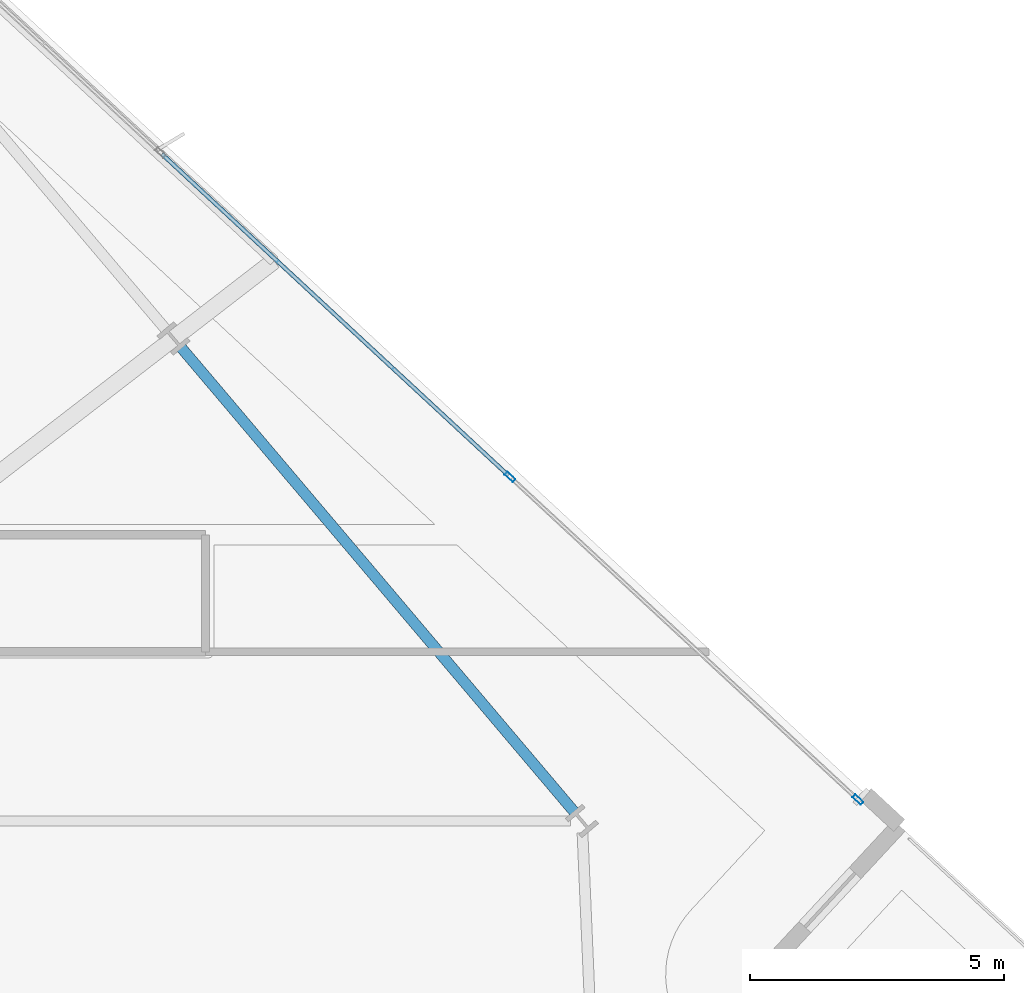
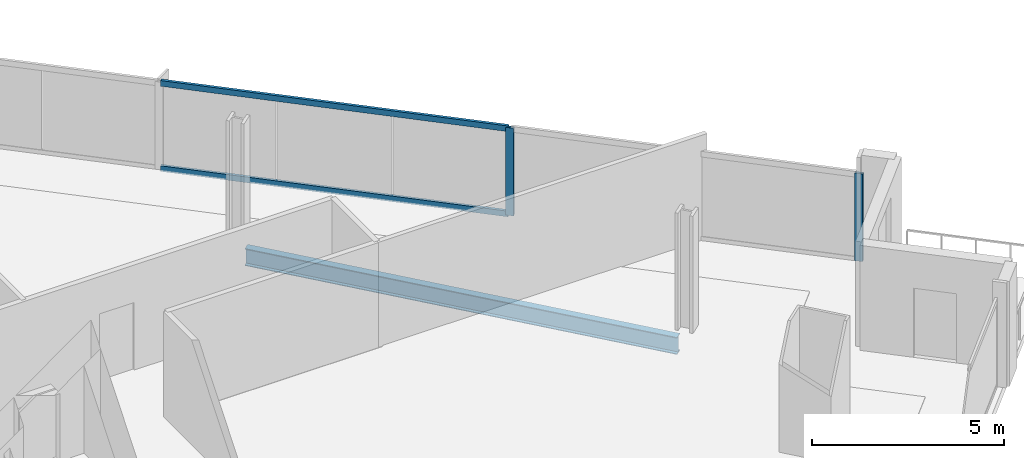
# One storey, part 19 of 32: 4 members, 1 beam, 1 element without a shape of its own.
"""IFC4 building model written with IfcOpenShell, lengths in metres."""

from ifc_helpers import new_model, si_unit, direction, frame, origin, origin_2d, place, context, subcontext, project, spatial, hollow_rectangle, i_section, extrude, material, material_profile, profile_set, type_object, element, aggregate, save


model = new_model("IFC4")

# Units and contexts
model_context = context("Model", 3, precision=1e-05, world=origin(), true_north=direction((0.0, 1.0)))
body_context = subcontext(model_context, "Body", "Model", "MODEL_VIEW")
ifc_project = project(units=[si_unit("LENGTHUNIT", "METRE"), si_unit("AREAUNIT", "SQUARE_METRE"), si_unit("VOLUMEUNIT", "CUBIC_METRE"), si_unit("PLANEANGLEUNIT", "RADIAN"), si_unit("MASSUNIT", "GRAM", prefix="KILO")], contexts=[model_context])

# Site, building, storey
site_placement = place(None, origin())
site = spatial("IfcSite", under=ifc_project, at=site_placement, CompositionType="ELEMENT")
building_placement = place(site_placement, origin())
building = spatial("IfcBuilding", under=site, at=building_placement, Name="Haldenkirk Collegiate Tower", CompositionType="ELEMENT")
storey_placement = place(building_placement, frame((0.0, 0.0, 185.699951171875)))
storey = spatial("IfcBuildingStorey", under=building, at=storey_placement, Name="L46", CompositionType="ELEMENT", Elevation=185.699951171875)

# Beam
ifc_material_1 = material(Name="Steel ASTM A992 Grade 50", Category="steel")
ifc_material_profile_1 = material_profile(ifc_material_1, i_section(OverallWidth=0.2119140625, OverallDepth=0.5439453125, WebThickness=0.01318359375, FlangeThickness=0.021240234375, at=origin_2d()), Name="W21X83")
ifc_profile_set_1 = profile_set([ifc_material_profile_1], Name="Steel ASTM A992 Grade 50")
beam_type = type_object("IfcBeamType", Name="BM-SPANDREL-W21X83", PredefinedType="SPANDREL", material=ifc_profile_set_1)
beam_placement = place(storey_placement, frame((61.051513671875, 30.998779296875, -0.56201171875), z_axis=(-0.646116898468, 0.763238464383, 0.0), x_axis=(-0.763238464383, -0.646116898468, 0.0)))
element("IfcBeam", 1, at=beam_placement, inside=storey, type_object=beam_type, Name="L46 perimeter spandrel beam 06", PredefinedType="SPANDREL", context=body_context, shape_type="SweptSolid", body=[
    extrude(i_section(OverallWidth=0.2119140625, OverallDepth=0.5439453125, WebThickness=0.01318359375, FlangeThickness=0.021240234375, at=origin_2d()), origin(), (0.0, 0.0, 1.0), 11.967041015625),
])

# Curtain wall, members
ifc_material_2 = material(Name="Anodised architectural bronze aluminium", Category="aluminium")
curtain_wall_type = type_object("IfcCurtainWallType", Name="CW-SYS1-CONVEX-LOW", PredefinedType="USERDEFINED", material=ifc_material_2)
curtain_wall_placement = place(storey_placement, origin())
curtain_wall = element("IfcCurtainWall", 2, at=curtain_wall_placement, inside=storey, type_object=curtain_wall_type, Name="L46 Lower tower convex bronze-framed unitised curtain wall", ObjectType="UNITISED CURTAIN WALL", PredefinedType="USERDEFINED")
ifc_material_profile_2 = material_profile(ifc_material_2, hollow_rectangle(XDim=0.080078125, YDim=0.219970703125, WallThickness=0.0048828125, at=origin_2d()), Name="CW-MUL-1A")
ifc_profile_set_2 = profile_set([ifc_material_profile_2], Name="Anodised architectural bronze aluminium")
member_type_1 = type_object("IfcMemberType", Name="CW-MUL-1A", PredefinedType="MULLION", material=ifc_profile_set_2)
member_1_placement = place(storey_placement, frame((59.78369140625, 37.58740234375, 0.0), z_axis=(0.0, 0.0, 1.0), x_axis=(0.680079272169, 0.733138584148, 0.0)))
member_1 = element("IfcMember", 3, at=member_1_placement, type_object=member_type_1, Name="CW-1A mullion 4", PredefinedType="MULLION", context=body_context, shape_type="SweptSolid", body=[
    extrude(hollow_rectangle(XDim=0.080078125, YDim=0.219970703125, WallThickness=0.0048828125, at=origin_2d()), origin(), (0.0, 0.0, 1.0), 2.791015625),
])
member_2_placement = place(storey_placement, frame((66.623046875, 31.2431640625, 0.0), z_axis=(0.0, 0.0, 1.0), x_axis=(0.680079272169, 0.733138584148, 0.0)))
member_2 = element("IfcMember", 4, at=member_2_placement, type_object=member_type_1, Name="CW-1A mullion 5", PredefinedType="MULLION", context=body_context, shape_type="SweptSolid", body=[
    extrude(hollow_rectangle(XDim=0.080078125, YDim=0.219970703125, WallThickness=0.0048828125, at=origin_2d()), origin(), (0.0, 0.0, 1.0), 2.791015625),
])
ifc_material_profile_3 = material_profile(ifc_material_2, hollow_rectangle(XDim=0.080078125, YDim=0.179931640625, WallThickness=0.0048828125, at=origin_2d()), Name="CW-TRN-1A")
ifc_profile_set_3 = profile_set([ifc_material_profile_3], Name="Anodised architectural bronze aluminium")
member_type_2 = type_object("IfcMemberType", Name="CW-TRN-1A", PredefinedType="USERDEFINED", material=ifc_profile_set_3)
member_3_placement = place(storey_placement, frame((52.9443359375, 43.931640625, 0.0400390625), z_axis=(0.733141629135, -0.680075989599, 0.0), x_axis=(0.680075989599, 0.733141629135, 0.0)))
member_3 = element("IfcMember", 5, at=member_3_placement, type_object=member_type_2, Name="CW-1A transom 3.1", ObjectType="TRANSOM", PredefinedType="USERDEFINED", context=body_context, shape_type="SweptSolid", body=[
    extrude(hollow_rectangle(XDim=0.080078125, YDim=0.179931640625, WallThickness=0.0048828125, at=origin_2d()), origin(), (0.0, 0.0, 1.0), 9.288818359375),
])
member_4_placement = place(storey_placement, frame((52.9443359375, 43.931640625, 2.7509765625), z_axis=(0.733141629135, -0.680075989599, 0.0), x_axis=(0.680075989599, 0.733141629135, 0.0)))
member_4 = element("IfcMember", 6, at=member_4_placement, type_object=member_type_2, Name="CW-1A transom 3.2", ObjectType="TRANSOM", PredefinedType="USERDEFINED", context=body_context, shape_type="SweptSolid", body=[
    extrude(hollow_rectangle(XDim=0.080078125, YDim=0.179931640625, WallThickness=0.0048828125, at=origin_2d()), origin(), (0.0, 0.0, 1.0), 9.288818359375),
])
aggregate(curtain_wall, [member_1, member_2, member_3, member_4])

save(model, "model.ifc")
